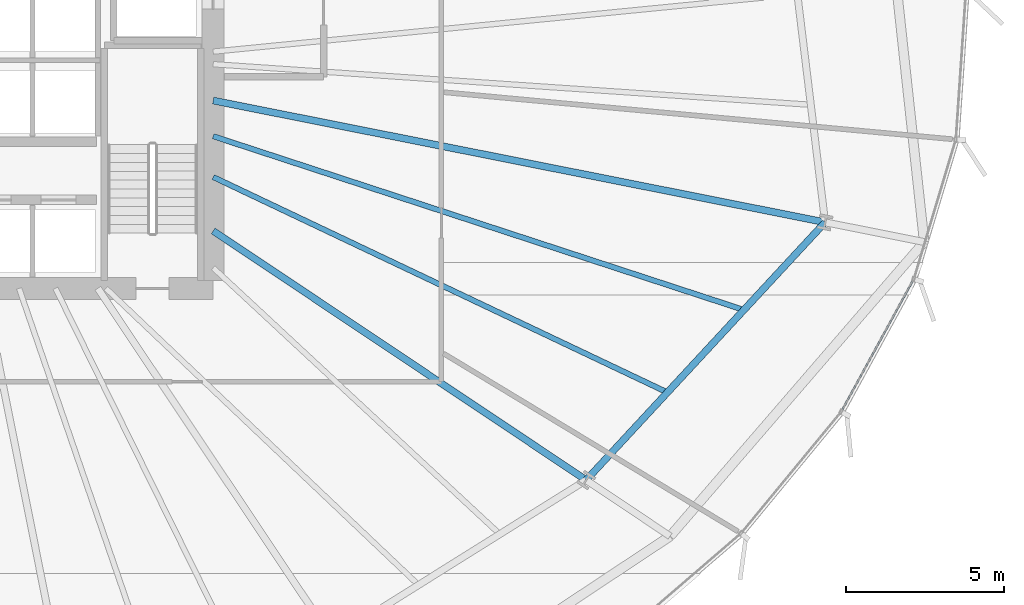
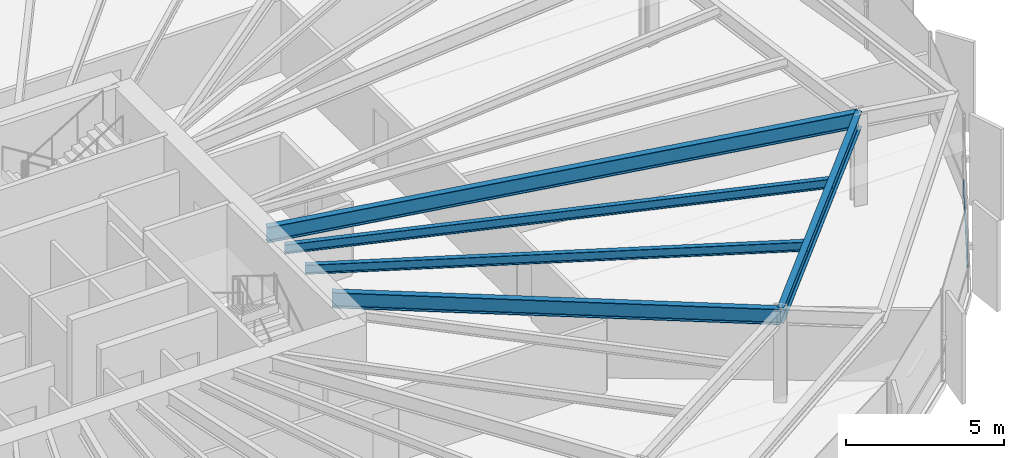
# One storey, part 15 of 39: 5 beams, 1 member, 1 element without a shape of its own.
"""IFC4 building model written with IfcOpenShell, lengths in metres."""

from ifc_helpers import new_model, si_unit, direction, frame, origin, origin_2d, place, context, subcontext, project, spatial, hollow_rectangle, i_section, extrude, source, transform, mapped, material, layer, layer_set, material_profile, profile_set, type_object, element, aggregate, save


model = new_model("IFC4")

# Units and contexts
model_context = context("Model", 3, precision=1e-05, world=origin(), true_north=direction((0.0, 1.0)))
body_context = subcontext(model_context, "Body", "Model", "MODEL_VIEW")
ifc_project = project(units=[si_unit("LENGTHUNIT", "METRE"), si_unit("AREAUNIT", "SQUARE_METRE"), si_unit("VOLUMEUNIT", "CUBIC_METRE"), si_unit("PLANEANGLEUNIT", "RADIAN"), si_unit("MASSUNIT", "GRAM", prefix="KILO"), si_unit("THERMODYNAMICTEMPERATUREUNIT", "KELVIN")], contexts=[model_context])

# Site, building, storey
site_placement = place(None, origin())
site = spatial("IfcSite", under=ifc_project, at=site_placement, CompositionType="ELEMENT")
building_placement = place(site_placement, origin())
building = spatial("IfcBuilding", under=site, at=building_placement, Name="Kethvar Cultural Tower", CompositionType="ELEMENT")
storey_placement = place(building_placement, frame((0.0, 0.0, 41.0)))
storey = spatial("IfcBuildingStorey", under=building, at=storey_placement, Name="L09", CompositionType="ELEMENT", Elevation=41.0)

# Beams
ifc_material_1 = material(Name="Steel S355J2", Category="steel")
ifc_material_profile_1 = material_profile(ifc_material_1, i_section(OverallWidth=0.219970703125, OverallDepth=0.60009765625, WebThickness=0.011962890625, FlangeThickness=0.01904296875, FilletRadius=0.02392578125, at=origin_2d()), Name="Steel S355J2 — IPE600")
ifc_profile_set_1 = profile_set([ifc_material_profile_1], Name="Steel S355J2 — IPE600")
beam_type_1 = type_object("IfcBeamType", Name="BM-IPE600", PredefinedType="BEAM", material=ifc_profile_set_1)
shared_shape_1 = source(origin(), body_context, "Body", "SweptSolid", [
    extrude(i_section(OverallWidth=0.219970703125, OverallDepth=0.60009765625, WebThickness=0.011962890625, FlangeThickness=0.01904296875, FilletRadius=0.02392578125, at=origin_2d()), origin(), (0.0, 0.0, 1.0), 14.2138671875),
])
beam_1_placement = place(storey_placement, frame((55.60009765625, 21.920166015625, 3.248046875), z_axis=(0.831463197362, -0.555579833537, 0.0), x_axis=(0.555579833537, 0.831463197362, 0.0)))
element("IfcBeam", 1, at=beam_1_placement, inside=storey, type_object=beam_type_1, Name="L09 Primary Radial Beam RB-15", PredefinedType="BEAM", context=body_context, shape_type="MappedRepresentation", body=[
    mapped(shared_shape_1, transform((0.0, 0.0, 0.0), scale=1.0)),
])
shared_shape_2 = source(origin(), body_context, "Body", "SweptSolid", [
    extrude(i_section(OverallWidth=0.219970703125, OverallDepth=0.60009765625, WebThickness=0.011962890625, FlangeThickness=0.01904296875, FilletRadius=0.02392578125, at=origin_2d()), origin(), (0.0, 0.0, 1.0), 19.77099609375),
])
beam_2_placement = place(storey_placement, frame((55.60009765625, 26.049560546875, 3.248046875), z_axis=(0.980784840197, -0.195092535068, 0.0), x_axis=(0.195092535068, 0.980784840197, 0.0)))
element("IfcBeam", 2, at=beam_2_placement, inside=storey, type_object=beam_type_1, Name="L09 Primary Radial Beam RB-16", PredefinedType="BEAM", context=body_context, shape_type="MappedRepresentation", body=[
    mapped(shared_shape_2, transform((0.0, 0.0, 0.0), scale=1.0)),
])
shared_shape_3 = source(origin(), body_context, "Body", "SweptSolid", [
    extrude(i_section(OverallWidth=0.219970703125, OverallDepth=0.60009765625, WebThickness=0.011962890625, FlangeThickness=0.01904296875, FilletRadius=0.02392578125, at=origin_2d()), origin(), (0.0, 0.0, 1.0), 11.13916015625),
])
beam_3_placement = place(storey_placement, frame((67.41845703125, 14.023193359375, 3.248046875), z_axis=(0.679827924457, 0.73337166098, 0.0), x_axis=(-0.73337166098, 0.679827924457, 0.0)))
element("IfcBeam", 3, at=beam_3_placement, inside=storey, type_object=beam_type_1, Name="L09 Column Ring Tie Beam CR-15", PredefinedType="BEAM", context=body_context, shape_type="MappedRepresentation", body=[
    mapped(shared_shape_3, transform((0.0, 0.0, 0.0), scale=1.0)),
])
ifc_material_profile_2 = material_profile(ifc_material_1, i_section(OverallWidth=0.169921875, OverallDepth=0.360107421875, WebThickness=0.008056640625, FlangeThickness=0.0126953125, FilletRadius=0.01806640625, at=origin_2d()), Name="Steel S355J2 — IPE360")
ifc_profile_set_2 = profile_set([ifc_material_profile_2], Name="Steel S355J2 — IPE360")
beam_type_2 = type_object("IfcBeamType", Name="BM-J360", PredefinedType="JOIST", material=ifc_profile_set_2)
shared_shape_4 = source(origin(), body_context, "Body", "SweptSolid", [
    extrude(i_section(OverallWidth=0.169921875, OverallDepth=0.360107421875, WebThickness=0.008056640625, FlangeThickness=0.0126953125, FilletRadius=0.01806640625, at=origin_2d()), origin(), (0.0, 0.0, 1.0), 15.9296875),
])
beam_4_placement = place(storey_placement, frame((55.60009765625, 23.626708984375, 3.367919921875), z_axis=(0.903539576646, -0.428504648089, 0.0), x_axis=(0.428504648089, 0.903539576646, 0.0)))
element("IfcBeam", 4, at=beam_4_placement, inside=storey, type_object=beam_type_2, Name="L09 Composite Floor Joist J-15A", PredefinedType="JOIST", context=body_context, shape_type="MappedRepresentation", body=[
    mapped(shared_shape_4, transform((0.0, 0.0, 0.0), scale=1.0)),
])
shared_shape_5 = source(origin(), body_context, "Body", "SweptSolid", [
    extrude(i_section(OverallWidth=0.169921875, OverallDepth=0.360107421875, WebThickness=0.008056640625, FlangeThickness=0.0126953125, FilletRadius=0.01806640625, at=origin_2d()), origin(), (0.0, 0.0, 1.0), 17.6943359375),
])
beam_5_placement = place(storey_placement, frame((55.60009765625, 24.91943359375, 3.367919921875), z_axis=(0.950378958587, -0.311094575773, 0.0), x_axis=(0.311094575773, 0.950378958587, 0.0)))
element("IfcBeam", 5, at=beam_5_placement, inside=storey, type_object=beam_type_2, Name="L09 Composite Floor Joist J-15B", PredefinedType="JOIST", context=body_context, shape_type="MappedRepresentation", body=[
    mapped(shared_shape_5, transform((0.0, 0.0, 0.0), scale=1.0)),
])

# Curtain wall, member
ifc_material_2 = material(Name="Aluminium 6063-T6", Category="aluminium")
ifc_layer = layer(ifc_material_2, 0.179931640625, Name="Aluminium 6063-T6", Category="aluminium")
ifc_layer_set = layer_set([ifc_layer], Name="Aluminium 6063-T6 (180 mm)")
curtain_wall_type = type_object("IfcCurtainWallType", Name="CW-SYS-02-Z1", PredefinedType="NOTDEFINED", material=ifc_layer_set)
curtain_wall_placement = place(storey_placement, origin())
curtain_wall = element("IfcCurtainWall", 6, at=curtain_wall_placement, inside=storey, type_object=curtain_wall_type, Name="L09 Curtain Wall Run 06", PredefinedType="NOTDEFINED")
ifc_material_profile_3 = material_profile(ifc_material_2, hollow_rectangle(XDim=0.054931640625, YDim=0.1201171875, WallThickness=0.00390625, at=origin_2d()), Name="Aluminium 6063-T6 — RHS120x55x4")
ifc_profile_set_3 = profile_set([ifc_material_profile_3], Name="Aluminium 6063-T6 — RHS120x55x4")
member_type = type_object("IfcMemberType", Name="CW-SYS-02-Z1-TRN", PredefinedType="USERDEFINED", material=ifc_profile_set_3)
shared_shape_6 = source(origin(), body_context, "Body", "SweptSolid", [
    extrude(hollow_rectangle(XDim=0.054931640625, YDim=0.1201171875, WallThickness=0.00390625, at=origin_2d()), origin(), (0.0, 0.0, 1.0), 4.720458984375),
])
member_placement = place(storey_placement, frame((75.5234375, 16.230712890625, 0.949951171875), z_axis=(0.479439055553, 0.877575177413, 0.0), x_axis=(-0.877575177413, 0.479439055553, 0.0)))
member = element("IfcMember", 7, at=member_placement, type_object=member_type, Name="CW-L09-R06 Transom 4", ObjectType="TRANSOM", PredefinedType="USERDEFINED", context=body_context, shape_type="MappedRepresentation", body=[
    mapped(shared_shape_6, transform((0.0, 0.0, 0.0), scale=1.0)),
])
aggregate(curtain_wall, [member])

save(model, "model.ifc")
